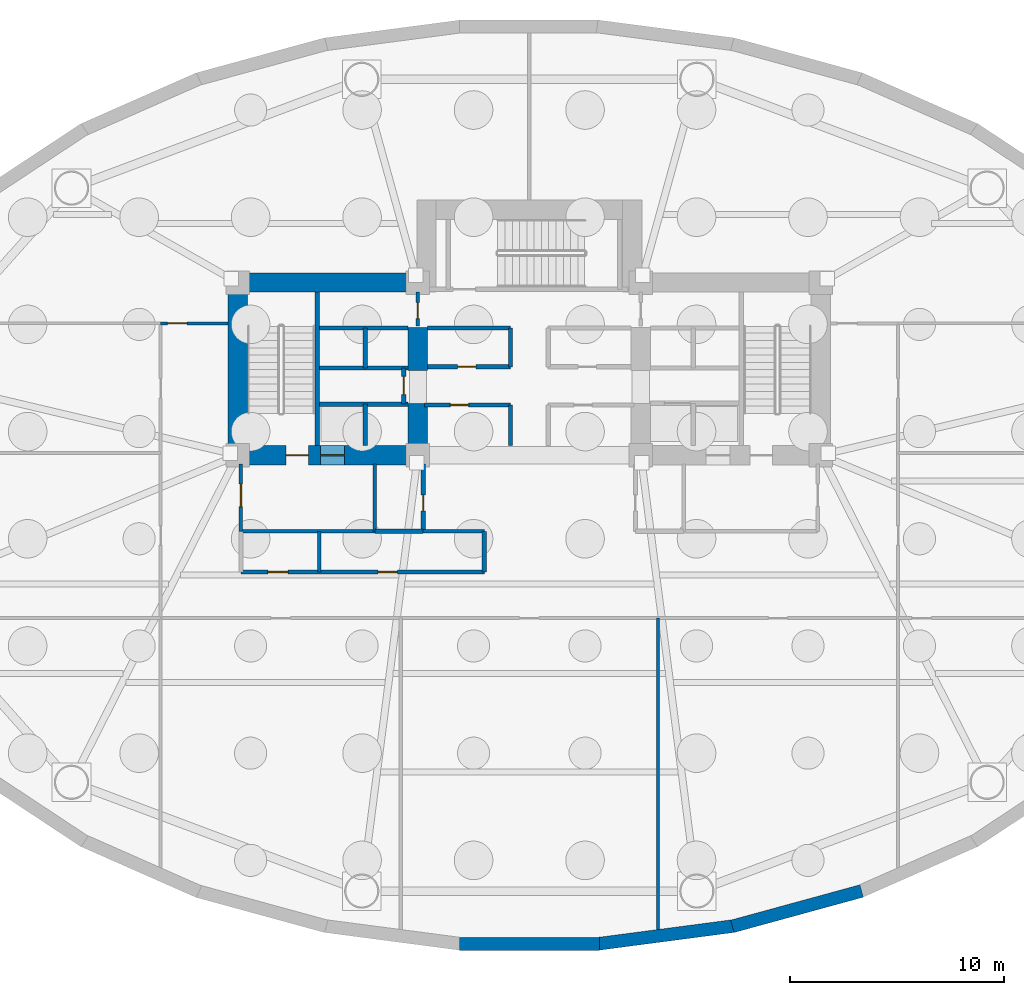
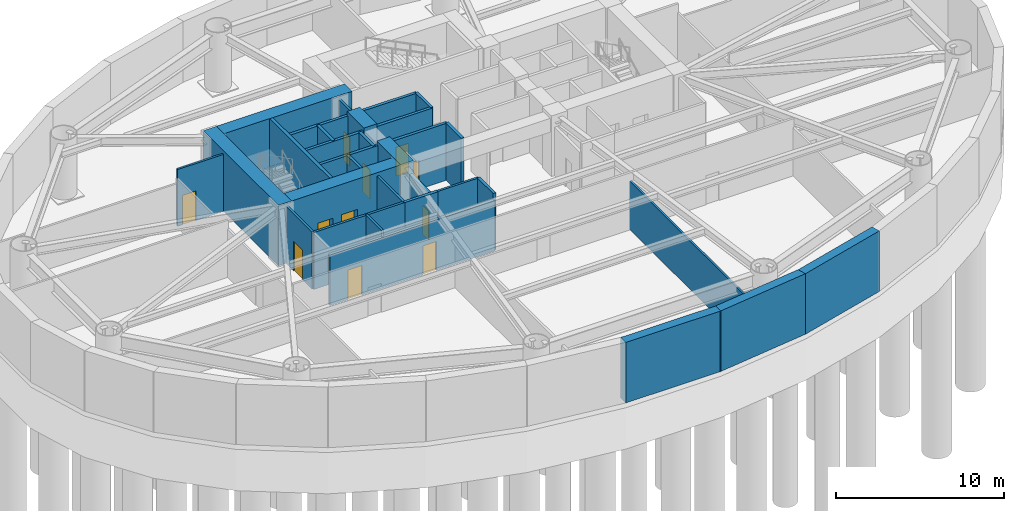
# One storey, part 3 of 7: 32 walls, 11 doors, 11 openings.
"""IFC4 building model written with IfcOpenShell, lengths in metres."""

from ifc_helpers import new_model, si_unit, direction, frame, frame_2d, origin, place, context, subcontext, project, spatial, rectangle, extrude, material, layer, layer_set, type_object, element, fill, save


model = new_model("IFC4")

# Units and contexts
model_context = context("Model", 3, precision=1e-05, world=origin(), true_north=direction((0.0, 1.0)))
body_context = subcontext(model_context, "Body", "Model", "MODEL_VIEW")
ifc_project = project(units=[si_unit("LENGTHUNIT", "METRE"), si_unit("AREAUNIT", "SQUARE_METRE"), si_unit("VOLUMEUNIT", "CUBIC_METRE"), si_unit("PLANEANGLEUNIT", "RADIAN"), si_unit("MASSUNIT", "GRAM", prefix="KILO")], contexts=[model_context])

# Site, building, storey
site_placement = place(None, origin())
site = spatial("IfcSite", under=ifc_project, at=site_placement, CompositionType="ELEMENT")
building_placement = place(site_placement, origin())
building = spatial("IfcBuilding", under=site, at=building_placement, Name="Keldmark Tower", CompositionType="ELEMENT")
storey_placement = place(building_placement, frame((0.0, 0.0, -8.800048828125)))
storey = spatial("IfcBuildingStorey", under=building, at=storey_placement, Name="B02", CompositionType="ELEMENT", Elevation=-8.800048828125)

# Wall, opening, door
ifc_material_1 = material(Name="Acoustic Double-Layer Gypsum Corridor Partition", Category="gypsum")
ifc_layer_1 = layer(ifc_material_1, 0.139892578125)
ifc_layer_set_1 = layer_set([ifc_layer_1], Name="Acoustic Double-Layer Gypsum Corridor Partition")
wall_type_1 = type_object("IfcWallType", Name="Acoustic Corridor Partition 140 mm", PredefinedType="PARTITIONING", material=ifc_layer_set_1)
wall_1_placement = place(storey_placement, frame((-17.199951171875, 7.550048828125, 0.0), z_axis=(0.0, 0.0, 1.0), x_axis=(1.0, 0.0, 0.0)))
wall_1 = element("IfcWall", 1, at=wall_1_placement, inside=storey, type_object=wall_type_1, Name="B02 Acoustic Corridor Partition 140 mm COR-WN-CAP", PredefinedType="PARTITIONING", context=body_context, shape_type="SweptSolid", body=[
    extrude(rectangle(XDim=3.14990234375, YDim=0.139892578125, at=frame_2d((1.574951171875, 0.0))), origin(), (0.0, 0.0, 1.0), 4.14013671875),
])
opening_1_placement = place(wall_1_placement, frame((0.320068359375, 0.0, 0.0)))
opening_1 = element("IfcOpeningElement", 2, at=opening_1_placement, cuts=wall_1, Name="Opening D-EX092", PredefinedType="OPENING", context=body_context, shape_type="SweptSolid", body=[
    extrude(rectangle(XDim=0.919921875, YDim=2.14990234375, at=frame_2d((0.4599609375, 1.074951171875))), frame((0.0, 0.079833984375, 0.0), z_axis=(0.0, -1.0, 0.0), x_axis=(1.0, 0.0, 0.0)), (0.0, 0.0, 1.0), 0.159912109375),
])
ifc_material_2 = material(Name="Flush American Ash Executive Office Door", Category="wood")
door_type_1 = type_object("IfcDoorType", Name="Executive Office Door 920x2150", OperationType="NOTDEFINED", PredefinedType="DOOR", material=ifc_material_2)
door_1_placement = place(opening_1_placement, origin())
door_1 = element("IfcDoor", 3, at=door_1_placement, inside=storey, type_object=door_type_1, Name="B02 Executive Office Door 920x2150 D-NRNW-B02", OperationType="SINGLE_SWING_LEFT", OverallHeight=2.14990234375, OverallWidth=0.919921875, PredefinedType="DOOR", context=body_context, shape_type="SweptSolid", body=[
    extrude(rectangle(XDim=0.919921875, YDim=2.14990234375, at=frame_2d((0.4599609375, 1.074951171875))), frame((0.0, 0.02490234375, 0.0), z_axis=(0.0, -1.0, 0.0), x_axis=(1.0, 0.0, 0.0)), (0.0, 0.0, 1.0), 0.050048828125),
])
fill(opening_1, door_1)

# Walls
ifc_material_3 = material(Name="Concrete C50/60", Category="concrete")
ifc_layer_2 = layer(ifc_material_3, 0.60009765625)
ifc_layer_set_2 = layer_set([ifc_layer_2], Name="Concrete C50/60")
wall_type_2 = type_object("IfcWallType", Name="Basement Retaining Wall 600 mm", PredefinedType="USERDEFINED", material=ifc_layer_set_2)
wall_2_placement = place(storey_placement, frame((-3.2646484375, -21.39501953125, 0.0), z_axis=(0.0, 0.0, 1.0), x_axis=(1.0, 0.0, 0.0)))
element("IfcWall", 4, at=wall_2_placement, inside=storey, type_object=wall_type_2, Name="B02 Perimeter Retaining Wall 24", ObjectType="RETAINING WALL", PredefinedType="USERDEFINED", context=body_context, shape_type="SweptSolid", body=[
    extrude(rectangle(XDim=6.529296875, YDim=0.60009765625, at=frame_2d((3.2646484375, 0.0))), origin(), (0.0, 0.0, 1.0), 4.400146484375),
])
wall_3_placement = place(storey_placement, frame((3.165771484375, -21.401611328125, 0.0), z_axis=(0.0, 0.0, 1.0), x_axis=(0.991471782517, 0.130321542624, 0.0)))
element("IfcWall", 5, at=wall_3_placement, inside=storey, type_object=wall_type_2, Name="B02 Perimeter Retaining Wall 25", ObjectType="RETAINING WALL", PredefinedType="USERDEFINED", context=body_context, shape_type="SweptSolid", body=[
    extrude(rectangle(XDim=6.45947265625, YDim=0.60009765625, at=frame_2d((3.229736328125, 0.0))), origin(), (0.0, 0.0, 1.0), 4.400146484375),
])
wall_4_placement = place(storey_placement, frame((9.47119140625, -20.579833984375, 0.0), z_axis=(0.0, 0.0, 1.0), x_axis=(0.964548276597, 0.263906464707, 0.0)))
element("IfcWall", 6, at=wall_4_placement, inside=storey, type_object=wall_type_2, Name="B02 Perimeter Retaining Wall 26", ObjectType="RETAINING WALL", PredefinedType="USERDEFINED", context=body_context, shape_type="SweptSolid", body=[
    extrude(rectangle(XDim=6.256591796875, YDim=0.60009765625, at=frame_2d((3.12841796875, 0.0))), origin(), (0.0, 0.0, 1.0), 4.400146484375),
])

# Wall, openings, doors
ifc_material_4 = material(Name="Heavy Acoustic Plumbing Chase Gypsum Assembly", Category="gypsum")
ifc_layer_3 = layer(ifc_material_4, 0.18994140625)
ifc_layer_set_3 = layer_set([ifc_layer_3], Name="Heavy Acoustic Plumbing Chase Gypsum Assembly")
wall_type_3 = type_object("IfcWallType", Name="Heavy Wet Wall 190 mm", PredefinedType="PLUMBINGWALL", material=ifc_layer_set_3)
wall_5_placement = place(storey_placement, frame((-13.449951171875, -4.050048828125, 0.0), z_axis=(0.0, 0.0, 1.0), x_axis=(1.0, 0.0, 0.0)))
wall_5 = element("IfcWall", 7, at=wall_5_placement, inside=storey, type_object=wall_type_3, Name="B02 Heavy Wet Wall 190 mm SPK-W-S", PredefinedType="PLUMBINGWALL", context=body_context, shape_type="SweptSolid", body=[
    extrude(rectangle(XDim=11.349853515625, YDim=0.18994140625, at=frame_2d((5.6748046875, 0.0))), origin(), (0.0, 0.0, 1.0), 3.6669921875),
])
opening_2_placement = place(wall_5_placement, frame((1.25, 0.0, 0.0)))
opening_2 = element("IfcOpeningElement", 8, at=opening_2_placement, cuts=wall_5, Name="Opening D-AWC95", PredefinedType="OPENING", context=body_context, shape_type="SweptSolid", body=[
    extrude(rectangle(XDim=0.949951171875, YDim=2.14990234375, at=frame_2d((0.47509765625, 1.074951171875))), frame((0.0, 0.10498046875, 0.0), z_axis=(0.0, -1.0, 0.0), x_axis=(1.0, 0.0, 0.0)), (0.0, 0.0, 1.0), 0.2099609375),
])
opening_3_placement = place(wall_5_placement, frame((6.39990234375, 0.0, 0.0)))
opening_3 = element("IfcOpeningElement", 9, at=opening_3_placement, cuts=wall_5, Name="Opening D-IN090", PredefinedType="OPENING", context=body_context, shape_type="SweptSolid", body=[
    extrude(rectangle(XDim=0.89990234375, YDim=2.10009765625, at=frame_2d((0.449951171875, 1.050048828125))), frame((0.0, 0.10498046875, 0.0), z_axis=(0.0, -1.0, 0.0), x_axis=(1.0, 0.0, 0.0)), (0.0, 0.0, 1.0), 0.2099609375),
])
ifc_material_5 = material(Name="Painted Solid-Core Architectural Wood", Category="wood")
door_type_2 = type_object("IfcDoorType", Name="Accessible WC Door 950x2150", OperationType="NOTDEFINED", PredefinedType="DOOR", material=ifc_material_5)
door_2_placement = place(opening_2_placement, origin())
door_2 = element("IfcDoor", 10, at=door_2_placement, inside=storey, type_object=door_type_2, Name="B02 Accessible WC Door 950x2150 D-SPKW1-B02", OperationType="SINGLE_SWING_LEFT", OverallHeight=2.14990234375, OverallWidth=0.949951171875, PredefinedType="DOOR", context=body_context, shape_type="SweptSolid", body=[
    extrude(rectangle(XDim=0.949951171875, YDim=2.14990234375, at=frame_2d((0.47509765625, 1.074951171875))), frame((0.0, 0.02490234375, 0.0), z_axis=(0.0, -1.0, 0.0), x_axis=(1.0, 0.0, 0.0)), (0.0, 0.0, 1.0), 0.050048828125),
])
fill(opening_2, door_2)
ifc_material_6 = material(Name="Stained American White Oak Veneer", Category="wood")
door_type_3 = type_object("IfcDoorType", Name="Interior Door 900x2100", OperationType="NOTDEFINED", PredefinedType="DOOR", material=ifc_material_6)
door_3_placement = place(opening_3_placement, origin())
door_3 = element("IfcDoor", 11, at=door_3_placement, inside=storey, type_object=door_type_3, Name="B02 Interior Door 900x2100 D-SPKW2-B02", OperationType="SINGLE_SWING_RIGHT", OverallHeight=2.10009765625, OverallWidth=0.89990234375, PredefinedType="DOOR", context=body_context, shape_type="SweptSolid", body=[
    extrude(rectangle(XDim=0.89990234375, YDim=2.10009765625, at=frame_2d((0.449951171875, 1.050048828125))), frame((0.0, 0.02490234375, 0.0), z_axis=(0.0, -1.0, 0.0), x_axis=(1.0, 0.0, 0.0)), (0.0, 0.0, 1.0), 0.050048828125),
])
fill(opening_3, door_3)

# Walls
wall_6_placement = place(storey_placement, frame((-2.10009765625, -4.050048828125, 0.0), z_axis=(0.0, 0.0, 1.0), x_axis=(0.0, 1.0, 0.0)))
element("IfcWall", 12, at=wall_6_placement, inside=storey, type_object=wall_type_3, Name="B02 Heavy Wet Wall 190 mm SPK-W-E", PredefinedType="PLUMBINGWALL", context=body_context, shape_type="SweptSolid", body=[
    extrude(rectangle(XDim=1.900146484375, YDim=0.18994140625, at=frame_2d((0.9501953125, 0.0))), origin(), (0.0, 0.0, 1.0), 4.14013671875),
])
ifc_material_7 = material(Name="Acoustic Gypsum Board Interior Partition", Category="gypsum")
ifc_layer_4 = layer(ifc_material_7, 0.1298828125)
ifc_layer_set_4 = layer_set([ifc_layer_4], Name="Acoustic Gypsum Board Interior Partition")
wall_type_4 = type_object("IfcWallType", Name="Interior Partition 130 mm", PredefinedType="PARTITIONING", material=ifc_layer_set_4)
wall_7_placement = place(storey_placement, frame((6.0, -20.718505859375, 0.0), z_axis=(0.0, 0.0, 1.0), x_axis=(0.0, 1.0, 0.0)))
element("IfcWall", 13, at=wall_7_placement, inside=storey, type_object=wall_type_4, Name="B02 Interior Partition 130 mm S-DIV-2", PredefinedType="PARTITIONING", context=body_context, shape_type="SweptSolid", body=[
    extrude(rectangle(XDim=14.5185546875, YDim=0.1298828125, at=frame_2d((7.25927734375, 0.0))), origin(), (0.0, 0.0, 1.0), 3.508056640625),
])
ifc_material_8 = material(Name="Concrete C70/85", Category="concrete")
ifc_layer_5 = layer(ifc_material_8, 0.89990234375)
ifc_layer_set_5 = layer_set([ifc_layer_5], Name="Concrete C70/85")
wall_type_5 = type_object("IfcWallType", Name="Lower Core Shear Wall 900 mm", PredefinedType="SHEAR", material=ifc_layer_set_5)
wall_8_placement = place(storey_placement, frame((-13.60009765625, 0.949951171875, 0.0), z_axis=(0.0, 0.0, 1.0), x_axis=(0.0, 1.0, 0.0)))
element("IfcWall", 14, at=wall_8_placement, inside=storey, type_object=wall_type_5, Name="B02 West Core Outer Shear Wall", PredefinedType="SHEAR", context=body_context, shape_type="SweptSolid", body=[
    extrude(rectangle(XDim=8.949951171875, YDim=0.89990234375, at=frame_2d((4.47509765625, 0.0))), origin(), (0.0, 0.0, 1.0), 4.400146484375),
])
wall_9_placement = place(storey_placement, frame((-14.050048828125, 9.449951171875, 0.0), z_axis=(0.0, 0.0, 1.0), x_axis=(1.0, 0.0, 0.0)))
element("IfcWall", 15, at=wall_9_placement, inside=storey, type_object=wall_type_5, Name="B02 West Core North Shear Wall", PredefinedType="SHEAR", context=body_context, shape_type="SweptSolid", body=[
    extrude(rectangle(XDim=9.699951171875, YDim=0.89990234375, at=frame_2d((4.85009765625, 0.0))), origin(), (0.0, 0.0, 1.0), 4.400146484375),
])

# Wall, openings, doors
wall_10_placement = place(storey_placement, frame((-4.75, 1.39990234375, 0.0), z_axis=(0.0, 0.0, 1.0), x_axis=(-1.0, 0.0, 0.0)))
wall_10 = element("IfcWall", 16, at=wall_10_placement, inside=storey, type_object=wall_type_5, Name="B02 West Core South Shear Wall", PredefinedType="SHEAR", context=body_context, shape_type="SweptSolid", body=[
    extrude(rectangle(XDim=9.300048828125, YDim=0.89990234375, at=frame_2d((4.64990234375, 0.0))), origin(), (0.0, 0.0, 1.0), 4.400146484375),
])
opening_4_placement = place(wall_10_placement, frame((5.550048828125, 0.0, 0.0)))
opening_4 = element("IfcOpeningElement", 17, at=opening_4_placement, cuts=wall_10, Name="Opening D-ST105", PredefinedType="OPENING", context=body_context, shape_type="SweptSolid", body=[
    extrude(rectangle(XDim=1.050048828125, YDim=2.14990234375, at=frame_2d((0.52490234375, 1.074951171875))), frame((0.0, 0.4599609375, 0.0), z_axis=(0.0, -1.0, 0.0), x_axis=(1.0, 0.0, 0.0)), (0.0, 0.0, 1.0), 0.919921875),
])
opening_5_placement = place(wall_10_placement, frame((3.8798828125, 0.0, 0.0)))
opening_5 = element("IfcOpeningElement", 18, at=opening_5_placement, cuts=wall_10, Name="Opening LD-110", PredefinedType="OPENING", context=body_context, shape_type="SweptSolid", body=[
    extrude(rectangle(XDim=1.10009765625, YDim=2.199951171875, at=frame_2d((0.550048828125, 1.10009765625))), frame((0.0, 0.4599609375, 0.0), z_axis=(0.0, -1.0, 0.0), x_axis=(1.0, 0.0, 0.0)), (0.0, 0.0, 1.0), 0.919921875),
])
ifc_material_9 = material(Name="Brushed Bronze Hoistway Sliding Leaf", Category="metal")
door_type_4 = type_object("IfcDoorType", Name="Lift Landing Sliding Door 1100x2200", OperationType="SLIDING_TO_LEFT", PredefinedType="DOOR", material=ifc_material_9)
door_4_placement = place(opening_5_placement, origin())
door_4 = element("IfcDoor", 19, at=door_4_placement, inside=storey, type_object=door_type_4, Name="B02 Lift Landing Sliding Door 1100x2200 LD-EL-FS1-B02", OperationType="SLIDING_TO_LEFT", OverallHeight=2.199951171875, OverallWidth=1.10009765625, PredefinedType="DOOR", context=body_context, shape_type="SweptSolid", body=[
    extrude(rectangle(XDim=1.10009765625, YDim=2.199951171875, at=frame_2d((0.550048828125, 1.10009765625))), frame((0.0, 0.02490234375, 0.0), z_axis=(0.0, -1.0, 0.0), x_axis=(1.0, 0.0, 0.0)), (0.0, 0.0, 1.0), 0.050048828125),
])
fill(opening_5, door_4)
ifc_material_10 = material(Name="Hollow Metal Fire-Rated Door Assembly", Category="metal")
door_type_5 = type_object("IfcDoorType", Name="Stair Fire Door 1050x2150", OperationType="NOTDEFINED", PredefinedType="DOOR", material=ifc_material_10)
door_5_placement = place(opening_4_placement, origin())
door_5 = element("IfcDoor", 20, at=door_5_placement, inside=storey, type_object=door_type_5, Name="B02 Stair Fire Door 1050x2150 D-ST1-B02", OperationType="SINGLE_SWING_RIGHT", OverallHeight=2.14990234375, OverallWidth=1.050048828125, PredefinedType="DOOR", context=body_context, shape_type="SweptSolid", body=[
    extrude(rectangle(XDim=1.050048828125, YDim=2.14990234375, at=frame_2d((0.52490234375, 1.074951171875))), frame((0.0, 0.02490234375, 0.0), z_axis=(0.0, -1.0, 0.0), x_axis=(1.0, 0.0, 0.0)), (0.0, 0.0, 1.0), 0.050048828125),
])
fill(opening_4, door_5)

# Walls
wall_11_placement = place(storey_placement, frame((-5.199951171875, 0.949951171875, 0.0), z_axis=(0.0, 0.0, 1.0), x_axis=(0.0, 1.0, 0.0)))
element("IfcWall", 21, at=wall_11_placement, inside=storey, type_object=wall_type_5, Name="B02 West Core Inner Shear Pier South", PredefinedType="SHEAR", context=body_context, shape_type="SweptSolid", body=[
    extrude(rectangle(XDim=2.85009765625, YDim=0.89990234375, at=frame_2d((1.425048828125, 0.0))), origin(), (0.0, 0.0, 1.0), 4.400146484375),
])
wall_12_placement = place(storey_placement, frame((-5.199951171875, 5.35009765625, 0.0), z_axis=(0.0, 0.0, 1.0), x_axis=(0.0, 1.0, 0.0)))
element("IfcWall", 22, at=wall_12_placement, inside=storey, type_object=wall_type_5, Name="B02 West Core Inner Shear Pier North", PredefinedType="SHEAR", context=body_context, shape_type="SweptSolid", body=[
    extrude(rectangle(XDim=2.0, YDim=0.89990234375, at=frame_2d((1.0, 0.0))), origin(), (0.0, 0.0, 1.0), 4.400146484375),
])
ifc_material_11 = material(Name="Type X Fire-Rated Gypsum Partition Assembly", Category="gypsum")
ifc_layer_6 = layer(ifc_material_11, 0.1650390625)
ifc_layer_set_6 = layer_set([ifc_layer_6], Name="Type X Fire-Rated Gypsum Partition Assembly")
wall_type_6 = type_object("IfcWallType", Name="Rated Partition 165 mm", PredefinedType="PARTITIONING", material=ifc_layer_set_6)
wall_13_placement = place(storey_placement, frame((-13.449951171875, -2.14990234375, 0.0), z_axis=(0.0, 0.0, 1.0), x_axis=(1.0, 0.0, 0.0)))
element("IfcWall", 23, at=wall_13_placement, inside=storey, type_object=wall_type_6, Name="B02 Rated Partition 165 mm FSAE-W-S", PredefinedType="PARTITIONING", context=body_context, shape_type="SweptSolid", body=[
    extrude(rectangle(XDim=6.25, YDim=0.1650390625, at=frame_2d((3.125, 0.0))), origin(), (0.0, 0.0, 1.0), 4.14013671875),
])

# Wall, opening, door
wall_14_placement = place(storey_placement, frame((-13.449951171875, -2.14990234375, 0.0), z_axis=(0.0, 0.0, 1.0), x_axis=(0.0, 1.0, 0.0)))
wall_14 = element("IfcWall", 24, at=wall_14_placement, inside=storey, type_object=wall_type_6, Name="B02 Rated Partition 165 mm FSAE-W-W", PredefinedType="PARTITIONING", context=body_context, shape_type="SweptSolid", body=[
    extrude(rectangle(XDim=3.14990234375, YDim=0.1650390625, at=frame_2d((1.574951171875, 0.0))), origin(), (0.0, 0.0, 1.0), 4.14013671875),
])
opening_6_placement = place(wall_14_placement, frame((1.14990234375, 0.0, 0.0)))
opening_6 = element("IfcOpeningElement", 25, at=opening_6_placement, cuts=wall_14, Name="Opening D-FL105", PredefinedType="OPENING", context=body_context, shape_type="SweptSolid", body=[
    extrude(rectangle(XDim=1.050048828125, YDim=2.14990234375, at=frame_2d((0.52490234375, 1.074951171875))), frame((0.0, 0.092529296875, 0.0), z_axis=(0.0, -1.0, 0.0), x_axis=(1.0, 0.0, 0.0)), (0.0, 0.0, 1.0), 0.18505859375),
])
ifc_material_12 = material(Name="Fire-Rated Mineral-Core Door and Vision Lite", Category="metal")
door_type_6 = type_object("IfcDoorType", Name="Fire Lobby Door 1050x2150", OperationType="NOTDEFINED", PredefinedType="DOOR", material=ifc_material_12)
door_6_placement = place(opening_6_placement, origin())
door_6 = element("IfcDoor", 26, at=door_6_placement, inside=storey, type_object=door_type_6, Name="B02 Fire Lobby Door 1050x2150 D-FSAEW-OUT-B02", OperationType="SINGLE_SWING_LEFT", OverallHeight=2.14990234375, OverallWidth=1.050048828125, PredefinedType="DOOR", context=body_context, shape_type="SweptSolid", body=[
    extrude(rectangle(XDim=1.050048828125, YDim=2.14990234375, at=frame_2d((0.52490234375, 1.074951171875))), frame((0.0, 0.02490234375, 0.0), z_axis=(0.0, -1.0, 0.0), x_axis=(1.0, 0.0, 0.0)), (0.0, 0.0, 1.0), 0.050048828125),
])
fill(opening_6, door_6)

# Wall
wall_15_placement = place(storey_placement, frame((-7.199951171875, -2.14990234375, 0.0), z_axis=(0.0, 0.0, 1.0), x_axis=(0.0, 1.0, 0.0)))
element("IfcWall", 27, at=wall_15_placement, inside=storey, type_object=wall_type_6, Name="B02 Rated Partition 165 mm FSAE-W-E", PredefinedType="PARTITIONING", context=body_context, shape_type="SweptSolid", body=[
    extrude(rectangle(XDim=3.14990234375, YDim=0.1650390625, at=frame_2d((1.574951171875, 0.0))), origin(), (0.0, 0.0, 1.0), 4.14013671875),
])

# Wall, opening, door
wall_16_placement = place(storey_placement, frame((-5.199951171875, 7.419921875, 0.0), z_axis=(0.0, 0.0, 1.0), x_axis=(0.0, 1.0, 0.0)))
wall_16 = element("IfcWall", 28, at=wall_16_placement, inside=storey, type_object=wall_type_6, Name="B02 Rated Partition 165 mm CS-NW-E", PredefinedType="PARTITIONING", context=body_context, shape_type="SweptSolid", body=[
    extrude(rectangle(XDim=1.580078125, YDim=0.1650390625, at=frame_2d((0.7900390625, 0.0))), origin(), (0.0, 0.0, 1.0), 4.14013671875),
])
opening_7_placement = place(wall_16_placement, frame((0.35009765625, 0.0, 0.0)))
opening_7 = element("IfcOpeningElement", 29, at=opening_7_placement, cuts=wall_16, Name="Opening D-RS075", PredefinedType="OPENING", context=body_context, shape_type="SweptSolid", body=[
    extrude(rectangle(XDim=0.75, YDim=2.10009765625, at=frame_2d((0.375, 1.050048828125))), frame((0.0, 0.092529296875, 0.0), z_axis=(0.0, -1.0, 0.0), x_axis=(1.0, 0.0, 0.0)), (0.0, 0.0, 1.0), 0.18505859375),
])
ifc_material_13 = material(Name="Galvanized Fire-Rated Access Leaf", Category="metal")
door_type_7 = type_object("IfcDoorType", Name="Riser Access Door 750x2100", OperationType="NOTDEFINED", PredefinedType="DOOR", material=ifc_material_13)
door_7_placement = place(opening_7_placement, origin())
door_7 = element("IfcDoor", 30, at=door_7_placement, inside=storey, type_object=door_type_7, Name="B02 Riser Access Door 750x2100 D-CSNW1-B02", OperationType="SINGLE_SWING_LEFT", OverallHeight=2.10009765625, OverallWidth=0.75, PredefinedType="DOOR", context=body_context, shape_type="SweptSolid", body=[
    extrude(rectangle(XDim=0.75, YDim=2.10009765625, at=frame_2d((0.375, 1.050048828125))), frame((0.0, 0.02490234375, 0.0), z_axis=(0.0, -1.0, 0.0), x_axis=(1.0, 0.0, 0.0)), (0.0, 0.0, 1.0), 0.050048828125),
])
fill(opening_7, door_7)

# Wall
ifc_material_14 = material(Name="Fire-Resistant Type X Gypsum Shaftliner Coreboard", Category="gypsum")
ifc_layer_7 = layer(ifc_material_14, 0.199951171875)
ifc_layer_set_7 = layer_set([ifc_layer_7], Name="Fire-Resistant Type X Gypsum Shaftliner Coreboard")
wall_type_7 = type_object("IfcWallType", Name="Shaft Wall 200 mm", PredefinedType="SOLIDWALL", material=ifc_layer_set_7)
wall_17_placement = place(storey_placement, frame((-7.199951171875, -2.14990234375, 0.0), z_axis=(0.0, 0.0, 1.0), x_axis=(1.0, 0.0, 0.0)))
element("IfcWall", 31, at=wall_17_placement, inside=storey, type_object=wall_type_7, Name="B02 Shaft Wall 200 mm RIS-SW-S", PredefinedType="SOLIDWALL", context=body_context, shape_type="SweptSolid", body=[
    extrude(rectangle(XDim=2.25, YDim=0.199951171875, at=frame_2d((1.125, 0.0))), origin(), (0.0, 0.0, 1.0), 4.14013671875),
])

# Wall, opening, door
wall_18_placement = place(storey_placement, frame((-4.949951171875, -2.14990234375, 0.0), z_axis=(0.0, 0.0, 1.0), x_axis=(0.0, 1.0, 0.0)))
wall_18 = element("IfcWall", 32, at=wall_18_placement, inside=storey, type_object=wall_type_7, Name="B02 Shaft Wall 200 mm RIS-SW-E", PredefinedType="SOLIDWALL", context=body_context, shape_type="SweptSolid", body=[
    extrude(rectangle(XDim=3.14990234375, YDim=0.199951171875, at=frame_2d((1.574951171875, 0.0))), origin(), (0.0, 0.0, 1.0), 3.508056640625),
])
opening_8_placement = place(wall_18_placement, frame((0.949951171875, 0.0, 0.0)))
opening_8 = element("IfcOpeningElement", 33, at=opening_8_placement, cuts=wall_18, Name="Opening D-RS075", PredefinedType="OPENING", context=body_context, shape_type="SweptSolid", body=[
    extrude(rectangle(XDim=0.75, YDim=2.10009765625, at=frame_2d((0.375, 1.050048828125))), frame((0.0, 0.10986328125, 0.0), z_axis=(0.0, -1.0, 0.0), x_axis=(1.0, 0.0, 0.0)), (0.0, 0.0, 1.0), 0.219970703125),
])
door_8_placement = place(opening_8_placement, origin())
door_8 = element("IfcDoor", 34, at=door_8_placement, inside=storey, type_object=door_type_7, Name="B02 Riser Access Door 750x2100 D-RISSW-B02", OperationType="SINGLE_SWING_RIGHT", OverallHeight=2.10009765625, OverallWidth=0.75, PredefinedType="DOOR", context=body_context, shape_type="SweptSolid", body=[
    extrude(rectangle(XDim=0.75, YDim=2.10009765625, at=frame_2d((0.375, 1.050048828125))), frame((0.0, 0.02490234375, 0.0), z_axis=(0.0, -1.0, 0.0), x_axis=(1.0, 0.0, 0.0)), (0.0, 0.0, 1.0), 0.050048828125),
])
fill(opening_8, door_8)

# Walls
wall_19_placement = place(storey_placement, frame((-9.780029296875, 3.780029296875, 0.0), z_axis=(0.0, 0.0, 1.0), x_axis=(1.0, 0.0, 0.0)))
element("IfcWall", 35, at=wall_19_placement, inside=storey, type_object=wall_type_7, Name="B02 Shaft Wall 200 mm HW-W-S", PredefinedType="SOLIDWALL", context=body_context, shape_type="SweptSolid", body=[
    extrude(rectangle(XDim=4.130126953125, YDim=0.199951171875, at=frame_2d((2.06494140625, 0.0))), origin(), (0.0, 0.0, 1.0), 4.14013671875),
])
wall_20_placement = place(storey_placement, frame((-7.64990234375, 1.85009765625, 0.0), z_axis=(0.0, 0.0, 1.0), x_axis=(0.0, 1.0, 0.0)))
element("IfcWall", 36, at=wall_20_placement, inside=storey, type_object=wall_type_7, Name="B02 Shaft Wall 200 mm HW-W-M", PredefinedType="SOLIDWALL", context=body_context, shape_type="SweptSolid", body=[
    extrude(rectangle(XDim=1.929931640625, YDim=0.199951171875, at=frame_2d((0.96484375, 0.0))), origin(), (0.0, 0.0, 1.0), 4.14013671875),
])
for number, where, z_axis, x_axis, name in (
    (37, (-9.780029296875, 5.469970703125, 0.0), (0.0, 0.0, 1.0), (1.0, 0.0, 0.0), "B02 Shaft Wall 200 mm HW-W-N"),
    (38, (-9.780029296875, 7.330078125, 0.0), (0.0, 0.0, 1.0), (1.0, 0.0, 0.0), "B02 Shaft Wall 200 mm HW-W-TOP"),
):
    element("IfcWall", number, at=place(storey_placement, frame(where, z_axis=z_axis, x_axis=x_axis)), inside=storey, type_object=wall_type_7, Name=name, PredefinedType="SOLIDWALL", context=body_context, shape_type="SweptSolid", body=[
        extrude(rectangle(XDim=4.130126953125, YDim=0.199951171875, at=frame_2d((2.06494140625, 0.0))), origin(), (0.0, 0.0, 1.0), 4.14013671875),
    ])
wall_21_placement = place(storey_placement, frame((-7.64990234375, 5.469970703125, 0.0), z_axis=(0.0, 0.0, 1.0), x_axis=(0.0, 1.0, 0.0)))
element("IfcWall", 39, at=wall_21_placement, inside=storey, type_object=wall_type_7, Name="B02 Shaft Wall 200 mm HW-W-NM", PredefinedType="SOLIDWALL", context=body_context, shape_type="SweptSolid", body=[
    extrude(rectangle(XDim=1.860107421875, YDim=0.199951171875, at=frame_2d((0.93017578125, 0.0))), origin(), (0.0, 0.0, 1.0), 4.14013671875),
])

# Wall, opening, door
wall_22_placement = place(storey_placement, frame((-5.85009765625, 3.780029296875, 0.0), z_axis=(0.0, 0.0, 1.0), x_axis=(0.0, 1.0, 0.0)))
wall_22 = element("IfcWall", 40, at=wall_22_placement, inside=storey, type_object=wall_type_7, Name="B02 Shaft Wall 200 mm HW-W-CLOSE", PredefinedType="SOLIDWALL", context=body_context, shape_type="SweptSolid", body=[
    extrude(rectangle(XDim=1.68994140625, YDim=0.199951171875, at=frame_2d((0.844970703125, 0.0))), origin(), (0.0, 0.0, 1.0), 4.14013671875),
])
opening_9_placement = place(wall_22_placement, frame((0.449951171875, 0.0, 0.0)))
opening_9 = element("IfcOpeningElement", 41, at=opening_9_placement, cuts=wall_22, Name="Opening D-SV085", PredefinedType="OPENING", context=body_context, shape_type="SweptSolid", body=[
    extrude(rectangle(XDim=0.85009765625, YDim=2.10009765625, at=frame_2d((0.425048828125, 1.050048828125))), frame((0.0, 0.10986328125, 0.0), z_axis=(0.0, -1.0, 0.0), x_axis=(1.0, 0.0, 0.0)), (0.0, 0.0, 1.0), 0.219970703125),
])
ifc_material_15 = material(Name="Painted Hollow Metal Door Assembly", Category="metal")
door_type_8 = type_object("IfcDoorType", Name="Service Door 850x2100", OperationType="NOTDEFINED", PredefinedType="DOOR", material=ifc_material_15)
door_9_placement = place(opening_9_placement, origin())
door_9 = element("IfcDoor", 42, at=door_9_placement, inside=storey, type_object=door_type_8, Name="B02 Service Door 850x2100 D-PITHW-B02", OperationType="SINGLE_SWING_RIGHT", OverallHeight=2.10009765625, OverallWidth=0.85009765625, PredefinedType="DOOR", context=body_context, shape_type="SweptSolid", body=[
    extrude(rectangle(XDim=0.85009765625, YDim=2.10009765625, at=frame_2d((0.425048828125, 1.050048828125))), frame((0.0, 0.02490234375, 0.0), z_axis=(0.0, -1.0, 0.0), x_axis=(1.0, 0.0, 0.0)), (0.0, 0.0, 1.0), 0.050048828125),
])
fill(opening_9, door_9)

wall_23_placement = place(storey_placement, frame((-4.8798828125, 3.739990234375, 0.0), z_axis=(0.0, 0.0, 1.0), x_axis=(1.0, 0.0, 0.0)))
wall_23 = element("IfcWall", 43, at=wall_23_placement, inside=storey, type_object=wall_type_7, Name="B02 Shaft Wall 200 mm LOW-B-W", PredefinedType="SOLIDWALL", context=body_context, shape_type="SweptSolid", body=[
    extrude(rectangle(XDim=4.0, YDim=0.199951171875, at=frame_2d((2.0, 0.0))), origin(), (0.0, 0.0, 1.0), 4.14013671875),
])
opening_10_placement = place(wall_23_placement, frame((1.199951171875, 0.0, 0.0)))
opening_10 = element("IfcOpeningElement", 44, at=opening_10_placement, cuts=wall_23, Name="Opening D-SV085", PredefinedType="OPENING", context=body_context, shape_type="SweptSolid", body=[
    extrude(rectangle(XDim=0.85009765625, YDim=2.10009765625, at=frame_2d((0.425048828125, 1.050048828125))), frame((0.0, 0.10986328125, 0.0), z_axis=(0.0, -1.0, 0.0), x_axis=(1.0, 0.0, 0.0)), (0.0, 0.0, 1.0), 0.219970703125),
])
door_10_placement = place(opening_10_placement, origin())
door_10 = element("IfcDoor", 45, at=door_10_placement, inside=storey, type_object=door_type_8, Name="B02 Service Door 850x2100 D-PITLW-B02", OperationType="SINGLE_SWING_LEFT", OverallHeight=2.10009765625, OverallWidth=0.85009765625, PredefinedType="DOOR", context=body_context, shape_type="SweptSolid", body=[
    extrude(rectangle(XDim=0.85009765625, YDim=2.10009765625, at=frame_2d((0.425048828125, 1.050048828125))), frame((0.0, 0.02490234375, 0.0), z_axis=(0.0, -1.0, 0.0), x_axis=(1.0, 0.0, 0.0)), (0.0, 0.0, 1.0), 0.050048828125),
])
fill(opening_10, door_10)

# Wall
wall_24_placement = place(storey_placement, frame((-0.8798828125, 1.85009765625, 0.0), z_axis=(0.0, 0.0, 1.0), x_axis=(0.0, 1.0, 0.0)))
element("IfcWall", 46, at=wall_24_placement, inside=storey, type_object=wall_type_7, Name="B02 Shaft Wall 200 mm LOW-B-CW", PredefinedType="SOLIDWALL", context=body_context, shape_type="SweptSolid", body=[
    extrude(rectangle(XDim=1.889892578125, YDim=0.199951171875, at=frame_2d((0.94482421875, 0.0))), origin(), (0.0, 0.0, 1.0), 4.14013671875),
])

# Wall, opening, door
wall_25_placement = place(storey_placement, frame((-4.739990234375, 5.52001953125, 0.0), z_axis=(0.0, 0.0, 1.0), x_axis=(1.0, 0.0, 0.0)))
wall_25 = element("IfcWall", 47, at=wall_25_placement, inside=storey, type_object=wall_type_7, Name="B02 Shaft Wall 200 mm MID-B-S", PredefinedType="SOLIDWALL", context=body_context, shape_type="SweptSolid", body=[
    extrude(rectangle(XDim=3.860107421875, YDim=0.199951171875, at=frame_2d((1.93017578125, 0.0))), origin(), (0.0, 0.0, 1.0), 4.14013671875),
])
opening_11_placement = place(wall_25_placement, frame((1.39990234375, 0.0, 0.0)))
opening_11 = element("IfcOpeningElement", 48, at=opening_11_placement, cuts=wall_25, Name="Opening D-SV085", PredefinedType="OPENING", context=body_context, shape_type="SweptSolid", body=[
    extrude(rectangle(XDim=0.85009765625, YDim=2.10009765625, at=frame_2d((0.425048828125, 1.050048828125))), frame((0.0, 0.10986328125, 0.0), z_axis=(0.0, -1.0, 0.0), x_axis=(1.0, 0.0, 0.0)), (0.0, 0.0, 1.0), 0.219970703125),
])
door_11_placement = place(opening_11_placement, origin())
door_11 = element("IfcDoor", 49, at=door_11_placement, inside=storey, type_object=door_type_8, Name="B02 Service Door 850x2100 D-PITMW-B02", OperationType="SINGLE_SWING_LEFT", OverallHeight=2.10009765625, OverallWidth=0.85009765625, PredefinedType="DOOR", context=body_context, shape_type="SweptSolid", body=[
    extrude(rectangle(XDim=0.85009765625, YDim=2.10009765625, at=frame_2d((0.425048828125, 1.050048828125))), frame((0.0, 0.02490234375, 0.0), z_axis=(0.0, -1.0, 0.0), x_axis=(1.0, 0.0, 0.0)), (0.0, 0.0, 1.0), 0.050048828125),
])
fill(opening_11, door_11)

# Walls
wall_26_placement = place(storey_placement, frame((-4.739990234375, 7.330078125, 0.0), z_axis=(0.0, 0.0, 1.0), x_axis=(1.0, 0.0, 0.0)))
element("IfcWall", 50, at=wall_26_placement, inside=storey, type_object=wall_type_7, Name="B02 Shaft Wall 200 mm MID-B-N", PredefinedType="SOLIDWALL", context=body_context, shape_type="SweptSolid", body=[
    extrude(rectangle(XDim=3.860107421875, YDim=0.199951171875, at=frame_2d((1.93017578125, 0.0))), origin(), (0.0, 0.0, 1.0), 4.14013671875),
])
wall_27_placement = place(storey_placement, frame((-0.8798828125, 5.52001953125, 0.0), z_axis=(0.0, 0.0, 1.0), x_axis=(0.0, 1.0, 0.0)))
element("IfcWall", 51, at=wall_27_placement, inside=storey, type_object=wall_type_7, Name="B02 Shaft Wall 200 mm MID-B-CW", PredefinedType="SOLIDWALL", context=body_context, shape_type="SweptSolid", body=[
    extrude(rectangle(XDim=1.81005859375, YDim=0.199951171875, at=frame_2d((0.905029296875, 0.0))), origin(), (0.0, 0.0, 1.0), 4.14013671875),
])
ifc_material_16 = material(Name="Concrete C50/60", Category="concrete")
ifc_layer_8 = layer(ifc_material_16, 0.219970703125)
ifc_layer_set_8 = layer_set([ifc_layer_8], Name="Concrete C50/60")
wall_type_8 = type_object("IfcWallType", Name="Stair Core Shear Wall 220 mm", PredefinedType="SHEAR", material=ifc_layer_set_8)
wall_28_placement = place(storey_placement, frame((-9.889892578125, 1.85009765625, 0.0), z_axis=(0.0, 0.0, 1.0), x_axis=(0.0, 1.0, 0.0)))
element("IfcWall", 52, at=wall_28_placement, inside=storey, type_object=wall_type_8, Name="B02 West Stair Core Shear Wall", PredefinedType="SHEAR", context=body_context, shape_type="SweptSolid", body=[
    extrude(rectangle(XDim=7.14990234375, YDim=0.219970703125, at=frame_2d((3.574951171875, 0.0))), origin(), (0.0, 0.0, 1.0), 4.400146484375),
])
ifc_material_17 = material(Name="Moisture-Resistant Gypsum Plumbing Partition", Category="gypsum")
ifc_layer_9 = layer(ifc_material_17, 0.14990234375)
ifc_layer_set_9 = layer_set([ifc_layer_9], Name="Moisture-Resistant Gypsum Plumbing Partition")
wall_type_9 = type_object("IfcWallType", Name="Wet Wall 150 mm", PredefinedType="PLUMBINGWALL", material=ifc_layer_set_9)
wall_29_placement = place(storey_placement, frame((-4.949951171875, -2.14990234375, 0.0), z_axis=(0.0, 0.0, 1.0), x_axis=(1.0, 0.0, 0.0)))
element("IfcWall", 53, at=wall_29_placement, inside=storey, type_object=wall_type_9, Name="B02 Wet Wall 150 mm SPK-W-N", PredefinedType="PLUMBINGWALL", context=body_context, shape_type="SweptSolid", body=[
    extrude(rectangle(XDim=2.849853515625, YDim=0.14990234375, at=frame_2d((1.4248046875, 0.0))), origin(), (0.0, 0.0, 1.0), 4.14013671875),
])
wall_30_placement = place(storey_placement, frame((-9.800048828125, -4.050048828125, 0.0), z_axis=(0.0, 0.0, 1.0), x_axis=(0.0, 1.0, 0.0)))
element("IfcWall", 54, at=wall_30_placement, inside=storey, type_object=wall_type_9, Name="B02 Wet Wall 150 mm SPK-W-D1", PredefinedType="PLUMBINGWALL", context=body_context, shape_type="SweptSolid", body=[
    extrude(rectangle(XDim=1.900146484375, YDim=0.14990234375, at=frame_2d((0.9501953125, 0.0))), origin(), (0.0, 0.0, 1.0), 4.14013671875),
])

save(model, "model.ifc")
